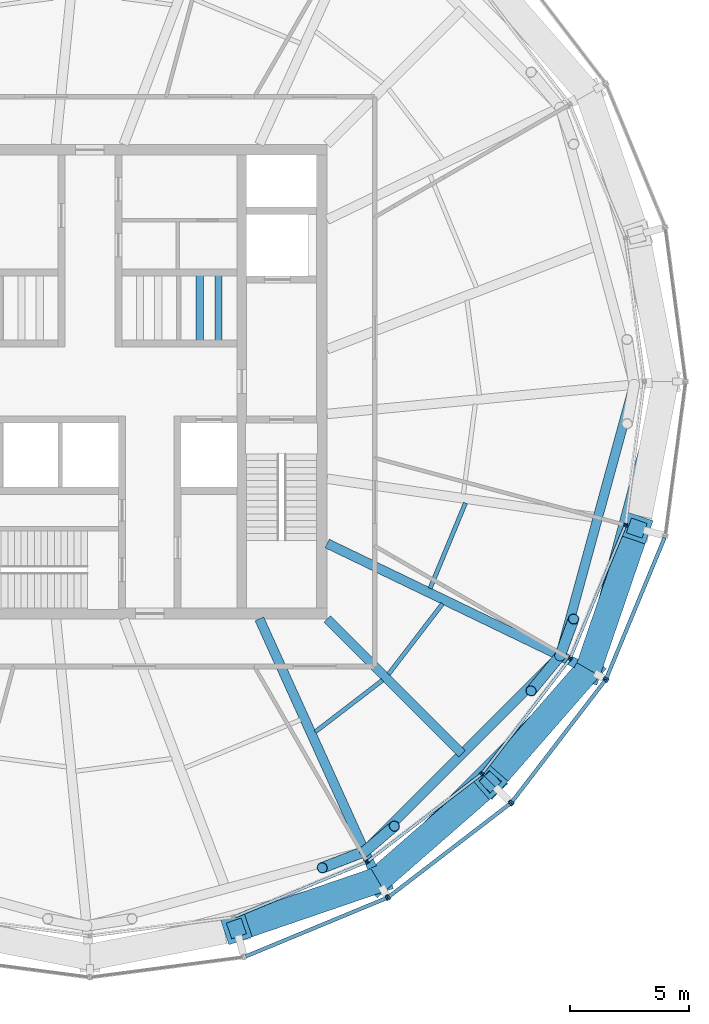
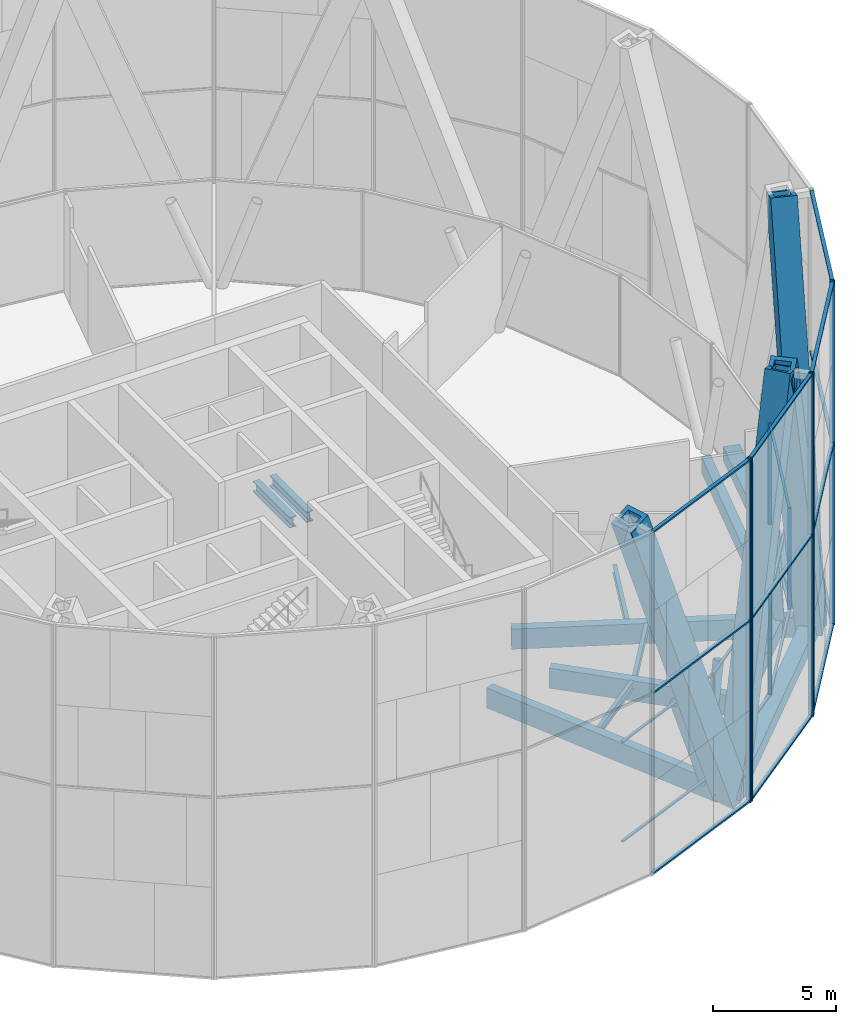
# One storey, part 4 of 15: 42 members, 12 beams, 9 elements without a shape of their own.
"""IFC4 building model written with IfcOpenShell, lengths in metres."""

import ifcopenshell
import ifcopenshell.guid

model = None  # the IFC model being written
_history = None  # IfcOwnerHistory: only IFC2X3 demands one
_inside = {}  # id of a spatial element -> (the spatial element, [elements in it])
_under = {}  # id of a project, library or spatial element -> (it, [spatial elements below it])
_declared = {}  # id of a project -> (the project, [libraries it declares])
_typed = {}  # id of a type object -> (the type object, [elements of that type])
_made_of = {}  # id of a material, layer set ... -> (it, [elements and type objects made of it])


def new_model(schema):
    """Start an empty IFC model of exactly this schema.

    Asked for "IFC4X3", IfcOpenShell would pick the latest addendum, in which some entities
    have other attributes; the version numbers below select the first issue.
    IFC2X3 requires an IfcOwnerHistory on every rooted entity: one is made here for all.
    """
    global model, _history
    if schema == "IFC4X3":
        model = ifcopenshell.file(schema_version=(4, 3, 0, 0))
    else:
        model = ifcopenshell.file(schema=schema)
    _inside.clear()
    _under.clear()
    _declared.clear()
    _typed.clear()
    _made_of.clear()
    _history = None
    if model.schema == "IFC2X3":
        org = make("IfcOrganization", Name="unknown")
        user = make(
            "IfcPersonAndOrganization",
            ThePerson=make("IfcPerson", FamilyName="unknown"),
            TheOrganization=org,
        )
        app = make(
            "IfcApplication",
            ApplicationDeveloper=org,
            Version="unknown",
            ApplicationFullName="unknown",
            ApplicationIdentifier="unknown",
        )
        _history = make(
            "IfcOwnerHistory",
            OwningUser=user,
            OwningApplication=app,
            ChangeAction="ADDED",
            CreationDate=0,
        )
    return model


def make(cls, **values):
    """One entity of the class cls with the attributes given. An attribute that is None is left unset."""
    return model.create_entity(
        cls, **{name: value for name, value in values.items() if value is not None}
    )


def rooted(cls, **values):
    """An entity with a GlobalId (a new one), such as an element, a storey or a relation."""
    return make(cls, GlobalId=ifcopenshell.guid.new(), OwnerHistory=_history, **values)


def si_unit(unit_type, name, prefix=None):
    """IfcSIUnit, for example si_unit("LENGTHUNIT", "METRE", prefix="MILLI")."""
    return make("IfcSIUnit", UnitType=unit_type, Prefix=prefix, Name=name)


def assignment(units):
    """IfcUnitAssignment: the units of a project."""
    return None if units is None else make("IfcUnitAssignment", Units=units)


def point(xyz):
    """IfcCartesianPoint."""
    return None if xyz is None else make("IfcCartesianPoint", Coordinates=xyz)


def direction(xyz):
    """IfcDirection."""
    return None if xyz is None else make("IfcDirection", DirectionRatios=xyz)


def frame(location, z_axis=None, x_axis=None):
    """IfcAxis2Placement3D, a coordinate frame: its origin and axes. An axis left out is left unset."""
    return make(
        "IfcAxis2Placement3D",
        Location=point(location),
        Axis=direction(z_axis),
        RefDirection=direction(x_axis),
    )


def frame_2d(location, x_axis=None):
    """IfcAxis2Placement2D, a coordinate frame in the plane: its origin and x axis."""
    return make(
        "IfcAxis2Placement2D", Location=point(location), RefDirection=direction(x_axis)
    )


def origin():
    """The frame at (0, 0, 0) with its axes left unset."""
    return frame((0.0, 0.0, 0.0))


def origin_2d():
    """The frame at (0, 0) in the plane with its x axis left unset."""
    return frame_2d((0.0, 0.0))


def place(relative_to, where):
    """IfcLocalPlacement: puts the frame where relative to a parent placement (None: the world)."""
    return make(
        "IfcLocalPlacement", PlacementRelTo=relative_to, RelativePlacement=where
    )


def context(
    kind, dimensions, precision=None, world=None, true_north=None, identifier=None
):
    """IfcGeometricRepresentationContext, for example the 3D "Model" context."""
    return make(
        "IfcGeometricRepresentationContext",
        ContextIdentifier=identifier,
        ContextType=kind,
        CoordinateSpaceDimension=dimensions,
        Precision=precision,
        WorldCoordinateSystem=world,
        TrueNorth=true_north,
    )


def subcontext(parent, identifier, kind, view, scale=None):
    """IfcGeometricRepresentationSubContext, for example "Body" below "Model"."""
    return make(
        "IfcGeometricRepresentationSubContext",
        ContextIdentifier=identifier,
        ContextType=kind,
        ParentContext=parent,
        TargetScale=scale,
        TargetView=view,
    )


def project(units=None, contexts=None):
    """IfcProject with its units and contexts."""
    return rooted(
        "IfcProject",
        Name="project",
        RepresentationContexts=contexts,
        UnitsInContext=assignment(units),
    )


def spatial(cls, under=None, at=None, **own):
    """A site, building, storey or space (cls), placed at a placement, below another one or the project."""
    s = rooted(cls, ObjectPlacement=at, **own)
    if under is not None:
        _under.setdefault(under.id(), (under, []))[1].append(s)
    return s


def profile(cls, at=None, kind="AREA", **sizes):
    """A parametric profile (cls). Its sizes go by their IFC names, for example OverallWidth=200.0."""
    return make(cls, ProfileType=kind, Position=at, **sizes)


def rectangle(**sizes):
    """IfcRectangleProfileDef."""
    return profile("IfcRectangleProfileDef", **sizes)


def hollow_rectangle(**sizes):
    """IfcRectangleHollowProfileDef."""
    return profile("IfcRectangleHollowProfileDef", **sizes)


def hollow_circle(**sizes):
    """IfcCircleHollowProfileDef."""
    return profile("IfcCircleHollowProfileDef", **sizes)


def i_section(**sizes):
    """IfcIShapeProfileDef."""
    return profile("IfcIShapeProfileDef", **sizes)


def extrude(swept, where, along, depth):
    """IfcExtrudedAreaSolid: the profile swept, set in the frame where, extruded along a direction by depth."""
    return make(
        "IfcExtrudedAreaSolid",
        SweptArea=swept,
        Position=where,
        ExtrudedDirection=direction(along),
        Depth=depth,
    )


def shape(context_of_items, identifier, shape_type, items):
    """IfcShapeRepresentation: the items that make up one representation, for example the "Body"."""
    return make(
        "IfcShapeRepresentation",
        ContextOfItems=context_of_items,
        RepresentationIdentifier=identifier,
        RepresentationType=shape_type,
        Items=items,
    )


def material(Name=None, Category=None):
    """IfcMaterial."""
    return make("IfcMaterial", Name=Name, Category=Category)


def material_profile(
    of_material, cross_section, Name=None, Category=None, Priority=None
):
    """IfcMaterialProfile: a cross section and its material."""
    return make(
        "IfcMaterialProfile",
        Name=Name,
        Material=of_material,
        Profile=cross_section,
        Priority=Priority,
        Category=Category,
    )


def profile_set(profiles, Name=None, composite=None):
    """IfcMaterialProfileSet."""
    return make(
        "IfcMaterialProfileSet",
        Name=Name,
        MaterialProfiles=profiles,
        CompositeProfile=composite,
    )


def made_of(thing, what):
    """Note that an element or type object is made of a material, layer set ...; save() writes the relation."""
    if what is not None:
        _made_of.setdefault(what.id(), (what, []))[1].append(thing)
    return thing


def type_object(cls, material=None, **own):
    """A type object (cls), such as IfcWallType, which elements share."""
    return made_of(rooted(cls, **own), material)


def element(
    cls,
    number,
    at=None,
    inside=None,
    cuts=None,
    type_object=None,
    material=None,
    context=None,
    identifier="Body",
    shape_type=None,
    held_by="IfcProductDefinitionShape",
    body=None,
    shapes=None,
    **own,
):
    """One element of the class cls, such as IfcWall. Its Tag is "e" and its number.

    at: its placement. inside: the storey or other place that contains it. cuts: it is an
    opening in that element (IfcRelVoidsElement). A single representation is given by context,
    identifier, shape_type and body (its items); several are given by shapes. held_by: the class
    of the entity that holds the representations. save() writes the other relations.
    """
    e = rooted(cls, Tag="e%d" % number, ObjectPlacement=at, **own)
    if body is not None:
        shapes = [shape(context, identifier, shape_type, body)]
    if shapes is not None:
        e.Representation = make(held_by, Representations=shapes)
    if inside is not None:
        _inside.setdefault(inside.id(), (inside, []))[1].append(e)
    if cuts is not None:
        rooted(
            "IfcRelVoidsElement", RelatingBuildingElement=cuts, RelatedOpeningElement=e
        )
    if type_object is not None:
        _typed.setdefault(type_object.id(), (type_object, []))[1].append(e)
    return made_of(e, material)


def aggregate(whole, parts):
    """IfcRelAggregates: a whole, such as a stair, and the parts it consists of."""
    return rooted("IfcRelAggregates", RelatingObject=whole, RelatedObjects=parts)


def save(model, path):
    """Write the relations noted so far, then the file.

    IfcRelAggregates (storeys below a building ...), IfcRelContainedInSpatialStructure (elements
    in a storey), IfcRelDefinesByType, IfcRelAssociatesMaterial and IfcRelDeclares: one each for
    every whole, place, type object, material and project.
    """
    for whole, parts in _under.values():
        aggregate(whole, parts)
    for where, things in _inside.values():
        rooted(
            "IfcRelContainedInSpatialStructure",
            RelatedElements=things,
            RelatingStructure=where,
        )
    for kind, things in _typed.values():
        rooted("IfcRelDefinesByType", RelatedObjects=things, RelatingType=kind)
    for what, things in _made_of.values():
        rooted("IfcRelAssociatesMaterial", RelatedObjects=things, RelatingMaterial=what)
    for by, libraries in _declared.values():
        rooted("IfcRelDeclares", RelatingContext=by, RelatedDefinitions=libraries)
    model.write(path)


model = new_model("IFC4")

# Units and contexts
model_context = context("Model", 3, precision=1e-05, world=origin(), true_north=direction((0.0, 1.0)))
body_context = subcontext(model_context, "Body", "Model", "MODEL_VIEW")
ifc_project = project(units=[si_unit("LENGTHUNIT", "METRE"), si_unit("AREAUNIT", "SQUARE_METRE"), si_unit("VOLUMEUNIT", "CUBIC_METRE"), si_unit("PLANEANGLEUNIT", "RADIAN"), si_unit("MASSUNIT", "GRAM", prefix="KILO")], contexts=[model_context])

# Site, building, storey
site_placement = place(None, origin())
site = spatial("IfcSite", under=ifc_project, at=site_placement, CompositionType="ELEMENT")
building_placement = place(site_placement, origin())
building = spatial("IfcBuilding", under=site, at=building_placement, Name="Golbaran Civic Tower", CompositionType="ELEMENT")
storey_placement = place(building_placement, frame((0.0, 0.0, 215.0)))
storey = spatial("IfcBuildingStorey", under=building, at=storey_placement, Name="L52", CompositionType="ELEMENT", Elevation=215.0)

# Members
ifc_material_1 = material(Name="Steel S355", Category="steel")
ifc_material_profile_1 = material_profile(ifc_material_1, hollow_circle(Radius=0.228515625, WallThickness=0.02001953125, at=origin_2d()), Name="CHS 457.0x20")
ifc_profile_set_1 = profile_set([ifc_material_profile_1], Name="Steel S355")
member_type_1 = type_object("IfcMemberType", Name="BELT TRUSS DIAGONAL CHS 457.0x20", PredefinedType="BRACE", material=ifc_profile_set_1)
member_1_placement = place(storey_placement, frame((11.580322265625, -19.796875, -0.60009765625), z_axis=(0.237997322439, 0.202374258001, 0.949948385024), x_axis=(-0.647790633231, 0.76181841373, 0.0)))
element("IfcMember", 1, at=member_1_placement, inside=storey, type_object=member_type_1, Name="Belt truss diagonal 300.00R L52", PredefinedType="BRACE", context=body_context, shape_type="SweptSolid", body=[
    extrude(hollow_circle(Radius=0.228515625, WallThickness=0.02001953125, at=origin_2d()), origin(), (0.0, 0.0, 1.0), 5.263427734375),
])
member_2_placement = place(storey_placement, frame((11.580322265625, -19.796875, -0.60009765625), z_axis=(-0.334288189881, -0.128873955106, 0.933618182022), x_axis=(0.359712247931, -0.933063287612, 0.0)))
element("IfcMember", 2, at=member_2_placement, inside=storey, type_object=member_type_1, Name="Belt truss diagonal 300.00L L52", PredefinedType="BRACE", context=body_context, shape_type="SweptSolid", body=[
    extrude(hollow_circle(Radius=0.228515625, WallThickness=0.02001953125, at=origin_2d()), origin(), (0.0, 0.0, 1.0), 5.35546875),
])
member_3_placement = place(storey_placement, frame((19.81298828125, -11.552734375, -0.60009765625), z_axis=(0.108443912345, 0.294361008754, 0.949521729294), x_axis=(-0.938348163363, 0.345691660751, 0.0)))
element("IfcMember", 3, at=member_3_placement, inside=storey, type_object=member_type_1, Name="Belt truss diagonal 330.00R L52", PredefinedType="BRACE", context=body_context, shape_type="SweptSolid", body=[
    extrude(hollow_circle(Radius=0.228515625, WallThickness=0.02001953125, at=origin_2d()), origin(), (0.0, 0.0, 1.0), 5.265869140625),
])
member_4_placement = place(storey_placement, frame((19.81298828125, -11.552734375, -0.60009765625), z_axis=(-0.228116831888, -0.276885065679, 0.933433110305), x_axis=(0.77180186456, -0.635863099938, 0.0)))
element("IfcMember", 4, at=member_4_placement, inside=storey, type_object=member_type_1, Name="Belt truss diagonal 330.00L L52", PredefinedType="BRACE", context=body_context, shape_type="SweptSolid", body=[
    extrude(hollow_circle(Radius=0.228515625, WallThickness=0.02001953125, at=origin_2d()), origin(), (0.0, 0.0, 1.0), 5.356689453125),
])
ifc_material_profile_2 = material_profile(ifc_material_1, hollow_rectangle(XDim=1.10009765625, YDim=1.10009765625, WallThickness=0.199951171875, at=origin_2d()), Name="BOX 1100x1100x200")
ifc_profile_set_2 = profile_set([ifc_material_profile_2], Name="Steel S355")
member_type_2 = type_object("IfcMemberType", Name="DIAGRID DIAGONAL BOX 1100x1100x200", PredefinedType="BRACE", material=ifc_profile_set_2)
for number, where, z_axis, x_axis, name in (
    (5, (12.1279296875, -21.00634765625, -0.7099609375), (0.261485476318, 0.228299784139, 0.937819041306), (-0.657688403763, 0.753290092564, 0.0), "Diagonal D12-10R L52-L56"),
    (6, (12.1279296875, -21.00634765625, -0.7099609375), (-0.328449877464, -0.112311622101, 0.937820226661), (0.323551479534, -0.94621056858, 0.0), "Diagonal D12-10L L52-L56"),
    (7, (21.00634765625, -12.1279296875, -0.7099609375), (0.112311622101, 0.328449877464, 0.937820226661), (-0.94621056858, 0.323551479534, 0.0), "Diagonal D12-11R L52-L56"),
    (8, (21.00634765625, -12.1279296875, -0.7099609375), (-0.228299784139, -0.261485476318, 0.937819041306), (0.753290092564, -0.657688403763, 0.0), "Diagonal D12-11L L52-L56"),
):
    element("IfcMember", number, at=place(storey_placement, frame(where, z_axis=z_axis, x_axis=x_axis)), inside=storey, type_object=member_type_2, Name=name, PredefinedType="BRACE", context=body_context, shape_type="SweptSolid", body=[
        extrude(hollow_rectangle(XDim=1.10009765625, YDim=1.10009765625, WallThickness=0.199951171875, at=origin_2d()), origin(), (0.0, 0.0, 1.0), 18.127197265625),
    ])

# Beams
ifc_material_profile_3 = material_profile(ifc_material_1, hollow_rectangle(XDim=0.699951171875, YDim=0.699951171875, WallThickness=0.080078125, at=origin_2d()), Name="BOX 700x700x80")
ifc_profile_set_3 = profile_set([ifc_material_profile_3], Name="Steel S355")
beam_type_1 = type_object("IfcBeamType", Name="DIAGRID RING TIE BOX 700x700x80", PredefinedType="BEAM", material=ifc_profile_set_3)
beam_1_placement = place(storey_placement, frame((12.1279296875, -21.00634765625, -0.7099609375), z_axis=(0.707106781187, 0.707106781187, 0.0), x_axis=(-0.707106781187, 0.707106781187, 0.0)))
element("IfcBeam", 9, at=beam_1_placement, inside=storey, type_object=beam_type_1, Name="Ring tie 300.00 L52", PredefinedType="BEAM", context=body_context, shape_type="SweptSolid", body=[
    extrude(hollow_rectangle(XDim=0.699951171875, YDim=0.699951171875, WallThickness=0.080078125, at=origin_2d()), origin(), (0.0, 0.0, 1.0), 12.555908203125),
])
beam_2_placement = place(storey_placement, frame((21.00634765625, -12.1279296875, -0.7099609375), z_axis=(0.258825502121, 0.965924096113, 0.0), x_axis=(-0.965924096113, 0.258825502121, 0.0)))
element("IfcBeam", 10, at=beam_2_placement, inside=storey, type_object=beam_type_1, Name="Ring tie 330.00 L52", PredefinedType="BEAM", context=body_context, shape_type="SweptSolid", body=[
    extrude(hollow_rectangle(XDim=0.699951171875, YDim=0.699951171875, WallThickness=0.080078125, at=origin_2d()), origin(), (0.0, 0.0, 1.0), 12.5556640625),
])
ifc_material_profile_4 = material_profile(ifc_material_1, hollow_rectangle(XDim=0.39990234375, YDim=0.800048828125, WallThickness=0.0400390625, at=origin_2d()), Name="BOX 800x400x40")
ifc_profile_set_4 = profile_set([ifc_material_profile_4], Name="Steel S355")
beam_type_2 = type_object("IfcBeamType", Name="EDGE BEAM BOX 800x400x40", PredefinedType="BEAM", material=ifc_profile_set_4)
beam_3_placement = place(storey_placement, frame((11.716064453125, -19.660888671875, -0.60009765625), z_axis=(0.706608276998, 0.707604934182, 0.0), x_axis=(-0.707604934182, 0.706608276998, 0.0)))
element("IfcBeam", 11, at=beam_3_placement, inside=storey, type_object=beam_type_2, Name="Edge beam 300.00 L52", PredefinedType="BEAM", context=body_context, shape_type="SweptSolid", body=[
    extrude(hollow_rectangle(XDim=0.39990234375, YDim=0.800048828125, WallThickness=0.0400390625, at=origin_2d()), origin(), (0.0, 0.0, 1.0), 11.26806640625),
])
beam_4_placement = place(storey_placement, frame((19.861328125, -11.3759765625, -0.60009765625), z_axis=(0.263544249905, 0.964647307746, 0.0), x_axis=(-0.964647307746, 0.263544249905, 0.0)))
element("IfcBeam", 12, at=beam_4_placement, inside=storey, type_object=beam_type_2, Name="Edge beam 330.00 L52", PredefinedType="BEAM", context=body_context, shape_type="SweptSolid", body=[
    extrude(hollow_rectangle(XDim=0.39990234375, YDim=0.800048828125, WallThickness=0.0400390625, at=origin_2d()), origin(), (0.0, 0.0, 1.0), 11.469482421875),
])
ifc_material_profile_5 = material_profile(ifc_material_1, i_section(OverallWidth=0.179931640625, OverallDepth=0.39990234375, WebThickness=0.008544921875, FlangeThickness=0.013427734375, FilletRadius=0.02099609375, at=origin_2d()), Name="IPE 400")
ifc_profile_set_5 = profile_set([ifc_material_profile_5], Name="Steel S355")
beam_type_3 = type_object("IfcBeamType", Name="FLOOR INFILL BEAM IPE 400", PredefinedType="BEAM", material=ifc_profile_set_5)
beam_5_placement = place(storey_placement, frame((9.496337890625, -14.759521484375, -0.39990234375), z_axis=(0.79335768671, 0.608755764604, 0.0), x_axis=(-0.608755764604, 0.79335768671, 0.0)))
element("IfcBeam", 13, at=beam_5_placement, inside=storey, type_object=beam_type_3, Name="Infill beam 307.50 L52", PredefinedType="BEAM", context=body_context, shape_type="SweptSolid", body=[
    extrude(i_section(OverallWidth=0.179931640625, OverallDepth=0.39990234375, WebThickness=0.008544921875, FlangeThickness=0.013427734375, FilletRadius=0.02099609375, at=origin_2d()), origin(), (0.0, 0.0, 1.0), 3.572021484375),
])
beam_6_placement = place(storey_placement, frame((12.58349609375, -12.328857421875, -0.39990234375), z_axis=(0.608753770436, 0.793359216862, 0.0), x_axis=(-0.793359216862, 0.608753770436, 0.0)))
element("IfcBeam", 14, at=beam_6_placement, inside=storey, type_object=beam_type_3, Name="Infill beam 322.50 L52", PredefinedType="BEAM", context=body_context, shape_type="SweptSolid", body=[
    extrude(i_section(OverallWidth=0.179931640625, OverallDepth=0.39990234375, WebThickness=0.008544921875, FlangeThickness=0.013427734375, FilletRadius=0.02099609375, at=origin_2d()), origin(), (0.0, 0.0, 1.0), 3.7373046875),
])
beam_7_placement = place(storey_placement, frame((14.33642578125, -8.71240234375, -0.39990234375), z_axis=(0.382656259044, 0.923890787601, 0.0), x_axis=(-0.923890787601, 0.382656259044, 0.0)))
element("IfcBeam", 15, at=beam_7_placement, inside=storey, type_object=beam_type_3, Name="Infill beam 337.50 L52", PredefinedType="BEAM", context=body_context, shape_type="SweptSolid", body=[
    extrude(i_section(OverallWidth=0.179931640625, OverallDepth=0.39990234375, WebThickness=0.008544921875, FlangeThickness=0.013427734375, FilletRadius=0.02099609375, at=origin_2d()), origin(), (0.0, 0.0, 1.0), 3.89501953125),
])
ifc_material_profile_6 = material_profile(ifc_material_1, i_section(OverallWidth=0.305908203125, OverallDepth=0.52392578125, WebThickness=0.02099609375, FlangeThickness=0.0400390625, FilletRadius=0.027099609375, at=origin_2d()), Name="HEM 500")
ifc_profile_set_6 = profile_set([ifc_material_profile_6], Name="Steel S355")
beam_type_4 = type_object("IfcBeamType", Name="LIFT PIT BEAM HEM 500", PredefinedType="BEAM", material=ifc_profile_set_6)
for number, where, z_axis, x_axis, name in (
    (16, (4.63330078125, 1.60009765625, 1.738037109375), (0.0, 1.0, 0.0), (-1.0, 0.0, 0.0), "Lift pit beam Z4T 1"),
    (17, (5.416748046875, 1.60009765625, 1.738037109375), (0.0, 1.0, 0.0), (-1.0, 0.0, 0.0), "Lift pit beam Z4T 2"),
):
    element("IfcBeam", number, at=place(storey_placement, frame(where, z_axis=z_axis, x_axis=x_axis)), inside=storey, type_object=beam_type_4, Name=name, PredefinedType="BEAM", context=body_context, shape_type="SweptSolid", body=[
        extrude(i_section(OverallWidth=0.305908203125, OverallDepth=0.52392578125, WebThickness=0.02099609375, FlangeThickness=0.0400390625, FilletRadius=0.027099609375, at=origin_2d()), origin(), (0.0, 0.0, 1.0), 3.0),
    ])

# Curtain wall, member
ifc_material_2 = material(Name="Aluminium and glass", Category="aluminium")
curtain_wall_type_1 = type_object("IfcCurtainWallType", Name="OUTER SKIN TERRACOTTA SCREEN", PredefinedType="NOTDEFINED", material=ifc_material_2)
curtain_wall_1_placement = place(storey_placement, origin())
curtain_wall_1 = element("IfcCurtainWall", 18, at=curtain_wall_1_placement, inside=storey, type_object=curtain_wall_type_1, Name="Outer skin L52 facet 20 CW3", ObjectType="OUTER SKIN", PredefinedType="USERDEFINED")
ifc_material_3 = material(Name="Aluminium", Category="aluminium")
ifc_material_profile_7 = material_profile(ifc_material_3, rectangle(XDim=0.219970703125, YDim=0.080078125, at=origin_2d()), Name="OUTER SKIN TERRACOTTA SCREEN MULLION")
ifc_profile_set_7 = profile_set([ifc_material_profile_7], Name="Aluminium")
member_type_3 = type_object("IfcMemberType", Name="OUTER SKIN TERRACOTTA SCREEN MULLION", PredefinedType="MULLION", material=ifc_profile_set_7)
member_5_placement = place(storey_placement, frame((12.51611328125, -21.7578125, -0.7099609375), z_axis=(0.0, 0.0, 1.0), x_axis=(-0.38268343243, 0.923879532485, 0.0)))
member_5 = element("IfcMember", 19, at=member_5_placement, type_object=member_type_3, Name="CW3 mullion 2", PredefinedType="MULLION", context=body_context, shape_type="SweptSolid", body=[
    extrude(rectangle(XDim=0.219970703125, YDim=0.080078125, at=origin_2d()), origin(), (0.0, 0.0, 1.0), 17.0),
])

# Curtain wall, members
curtain_wall_2_placement = place(storey_placement, origin())
curtain_wall_2 = element("IfcCurtainWall", 20, at=curtain_wall_2_placement, inside=storey, type_object=curtain_wall_type_1, Name="Outer skin L52 facet 21 CW3", ObjectType="OUTER SKIN", PredefinedType="USERDEFINED")
member_6_placement = place(storey_placement, frame((12.584716796875, -21.718017578125, -0.7099609375), z_axis=(0.0, 0.0, 1.0), x_axis=(-0.60876142905, 0.793353340259, 0.0)))
member_6 = element("IfcMember", 21, at=member_6_placement, type_object=member_type_3, Name="CW3 mullion 1", PredefinedType="MULLION", context=body_context, shape_type="SweptSolid", body=[
    extrude(rectangle(XDim=0.219970703125, YDim=0.080078125, at=origin_2d()), origin(), (0.0, 0.0, 1.0), 17.0),
])
member_7_placement = place(storey_placement, frame((17.720947265625, -17.77685546875, -0.7099609375), z_axis=(0.0, 0.0, 1.0), x_axis=(-0.60876142905, 0.793353340259, 0.0)))
member_7 = element("IfcMember", 22, at=member_7_placement, type_object=member_type_3, Name="CW3 mullion 2", PredefinedType="MULLION", context=body_context, shape_type="SweptSolid", body=[
    extrude(rectangle(XDim=0.219970703125, YDim=0.080078125, at=origin_2d()), origin(), (0.0, 0.0, 1.0), 17.0),
])

curtain_wall_3_placement = place(storey_placement, origin())
curtain_wall_3 = element("IfcCurtainWall", 23, at=curtain_wall_3_placement, inside=storey, type_object=curtain_wall_type_1, Name="Outer skin L52 facet 22 CW3", ObjectType="OUTER SKIN", PredefinedType="USERDEFINED")
member_8_placement = place(storey_placement, frame((17.77685546875, -17.720947265625, -0.7099609375), z_axis=(0.0, 0.0, 1.0), x_axis=(-0.793353340259, 0.60876142905, 0.0)))
member_8 = element("IfcMember", 24, at=member_8_placement, type_object=member_type_3, Name="CW3 mullion 1", PredefinedType="MULLION", context=body_context, shape_type="SweptSolid", body=[
    extrude(rectangle(XDim=0.219970703125, YDim=0.080078125, at=origin_2d()), origin(), (0.0, 0.0, 1.0), 17.0),
])
member_9_placement = place(storey_placement, frame((21.718017578125, -12.584716796875, -0.7099609375), z_axis=(0.0, 0.0, 1.0), x_axis=(-0.793353340259, 0.60876142905, 0.0)))
member_9 = element("IfcMember", 25, at=member_9_placement, type_object=member_type_3, Name="CW3 mullion 2", PredefinedType="MULLION", context=body_context, shape_type="SweptSolid", body=[
    extrude(rectangle(XDim=0.219970703125, YDim=0.080078125, at=origin_2d()), origin(), (0.0, 0.0, 1.0), 17.0),
])

# Curtain wall, member
curtain_wall_4_placement = place(storey_placement, origin())
curtain_wall_4 = element("IfcCurtainWall", 26, at=curtain_wall_4_placement, inside=storey, type_object=curtain_wall_type_1, Name="Outer skin L52 facet 23 CW3", ObjectType="OUTER SKIN", PredefinedType="USERDEFINED")
member_10_placement = place(storey_placement, frame((21.7578125, -12.51611328125, -0.7099609375), z_axis=(0.0, 0.0, 1.0), x_axis=(-0.923879532485, 0.38268343243, 0.0)))
member_10 = element("IfcMember", 27, at=member_10_placement, type_object=member_type_3, Name="CW3 mullion 1", PredefinedType="MULLION", context=body_context, shape_type="SweptSolid", body=[
    extrude(rectangle(XDim=0.219970703125, YDim=0.080078125, at=origin_2d()), origin(), (0.0, 0.0, 1.0), 17.0),
])

# Member
ifc_material_profile_8 = material_profile(ifc_material_3, rectangle(XDim=0.159912109375, YDim=0.080078125, at=origin_2d()), Name="OUTER SKIN TERRACOTTA SCREEN TRANSOM")
ifc_profile_set_8 = profile_set([ifc_material_profile_8], Name="Aluminium")
member_type_4 = type_object("IfcMemberType", Name="OUTER SKIN TERRACOTTA SCREEN TRANSOM", PredefinedType="USERDEFINED", material=ifc_profile_set_8)
member_11_placement = place(storey_placement, frame((6.57177734375, -24.219970703125, -0.669921875), z_axis=(0.923870235777, 0.382705875896, 0.0), x_axis=(-0.382705875896, 0.923870235777, 0.0)))
member_11 = element("IfcMember", 28, at=member_11_placement, type_object=member_type_4, Name="CW3 transom 1.1", ObjectType="TRANSOM", PredefinedType="USERDEFINED", context=body_context, shape_type="SweptSolid", body=[
    extrude(rectangle(XDim=0.159912109375, YDim=0.080078125, at=origin_2d()), origin(), (0.0, 0.0, 1.0), 6.39404296875),
])

member_12_placement = place(storey_placement, frame((6.57177734375, -24.219970703125, 8.2900390625), z_axis=(0.923870235777, 0.382705875896, 0.0), x_axis=(-0.382705875896, 0.923870235777, 0.0)))
member_12 = element("IfcMember", 29, at=member_12_placement, type_object=member_type_4, Name="CW3 transom 1.2", ObjectType="TRANSOM", PredefinedType="USERDEFINED", context=body_context, shape_type="SweptSolid", body=[
    extrude(rectangle(XDim=0.159912109375, YDim=0.080078125, at=origin_2d()), origin(), (0.0, 0.0, 1.0), 6.39404296875),
])

member_13_placement = place(storey_placement, frame((6.57177734375, -24.219970703125, 16.25), z_axis=(0.923870235777, 0.382705875896, 0.0), x_axis=(-0.382705875896, 0.923870235777, 0.0)))
member_13 = element("IfcMember", 30, at=member_13_placement, type_object=member_type_4, Name="CW3 transom 1.3", ObjectType="TRANSOM", PredefinedType="USERDEFINED", context=body_context, shape_type="SweptSolid", body=[
    extrude(rectangle(XDim=0.159912109375, YDim=0.080078125, at=origin_2d()), origin(), (0.0, 0.0, 1.0), 6.39404296875),
])

aggregate(curtain_wall_1, [member_5, member_11, member_12, member_13])

member_14_placement = place(storey_placement, frame((12.616455078125, -21.69384765625, -0.669921875), z_axis=(0.793344491665, 0.608772960589, 0.0), x_axis=(-0.608772960589, 0.793344491665, 0.0)))
member_14 = element("IfcMember", 31, at=member_14_placement, type_object=member_type_4, Name="CW3 transom 1.1", ObjectType="TRANSOM", PredefinedType="USERDEFINED", context=body_context, shape_type="SweptSolid", body=[
    extrude(rectangle(XDim=0.159912109375, YDim=0.080078125, at=origin_2d()), origin(), (0.0, 0.0, 1.0), 6.39404296875),
])

member_15_placement = place(storey_placement, frame((12.616455078125, -21.69384765625, 8.2900390625), z_axis=(0.793344491665, 0.608772960589, 0.0), x_axis=(-0.608772960589, 0.793344491665, 0.0)))
member_15 = element("IfcMember", 32, at=member_15_placement, type_object=member_type_4, Name="CW3 transom 1.2", ObjectType="TRANSOM", PredefinedType="USERDEFINED", context=body_context, shape_type="SweptSolid", body=[
    extrude(rectangle(XDim=0.159912109375, YDim=0.080078125, at=origin_2d()), origin(), (0.0, 0.0, 1.0), 6.39404296875),
])

member_16_placement = place(storey_placement, frame((12.616455078125, -21.69384765625, 16.25), z_axis=(0.793344491665, 0.608772960589, 0.0), x_axis=(-0.608772960589, 0.793344491665, 0.0)))
member_16 = element("IfcMember", 33, at=member_16_placement, type_object=member_type_4, Name="CW3 transom 1.3", ObjectType="TRANSOM", PredefinedType="USERDEFINED", context=body_context, shape_type="SweptSolid", body=[
    extrude(rectangle(XDim=0.159912109375, YDim=0.080078125, at=origin_2d()), origin(), (0.0, 0.0, 1.0), 6.39404296875),
])

aggregate(curtain_wall_2, [member_6, member_7, member_14, member_15, member_16])

member_17_placement = place(storey_placement, frame((17.80126953125, -17.689208984375, -0.669921875), z_axis=(0.608772960589, 0.793344491665, 0.0), x_axis=(-0.793344491665, 0.608772960589, 0.0)))
member_17 = element("IfcMember", 34, at=member_17_placement, type_object=member_type_4, Name="CW3 transom 1.1", ObjectType="TRANSOM", PredefinedType="USERDEFINED", context=body_context, shape_type="SweptSolid", body=[
    extrude(rectangle(XDim=0.159912109375, YDim=0.080078125, at=origin_2d()), origin(), (0.0, 0.0, 1.0), 6.39404296875),
])

member_18_placement = place(storey_placement, frame((17.80126953125, -17.689208984375, 8.2900390625), z_axis=(0.608772960589, 0.793344491665, 0.0), x_axis=(-0.793344491665, 0.608772960589, 0.0)))
member_18 = element("IfcMember", 35, at=member_18_placement, type_object=member_type_4, Name="CW3 transom 1.2", ObjectType="TRANSOM", PredefinedType="USERDEFINED", context=body_context, shape_type="SweptSolid", body=[
    extrude(rectangle(XDim=0.159912109375, YDim=0.080078125, at=origin_2d()), origin(), (0.0, 0.0, 1.0), 6.39404296875),
])

member_19_placement = place(storey_placement, frame((17.80126953125, -17.689208984375, 16.25), z_axis=(0.608772960589, 0.793344491665, 0.0), x_axis=(-0.793344491665, 0.608772960589, 0.0)))
member_19 = element("IfcMember", 36, at=member_19_placement, type_object=member_type_4, Name="CW3 transom 1.3", ObjectType="TRANSOM", PredefinedType="USERDEFINED", context=body_context, shape_type="SweptSolid", body=[
    extrude(rectangle(XDim=0.159912109375, YDim=0.080078125, at=origin_2d()), origin(), (0.0, 0.0, 1.0), 6.39404296875),
])

aggregate(curtain_wall_3, [member_8, member_9, member_17, member_18, member_19])

member_20_placement = place(storey_placement, frame((21.77294921875, -12.47900390625, -0.669921875), z_axis=(0.382705875896, 0.923870235777, 0.0), x_axis=(-0.923870235777, 0.382705875896, 0.0)))
member_20 = element("IfcMember", 37, at=member_20_placement, type_object=member_type_4, Name="CW3 transom 1.1", ObjectType="TRANSOM", PredefinedType="USERDEFINED", context=body_context, shape_type="SweptSolid", body=[
    extrude(rectangle(XDim=0.159912109375, YDim=0.080078125, at=origin_2d()), origin(), (0.0, 0.0, 1.0), 6.39404296875),
])

member_21_placement = place(storey_placement, frame((21.77294921875, -12.47900390625, 8.2900390625), z_axis=(0.382705875896, 0.923870235777, 0.0), x_axis=(-0.923870235777, 0.382705875896, 0.0)))
member_21 = element("IfcMember", 38, at=member_21_placement, type_object=member_type_4, Name="CW3 transom 1.2", ObjectType="TRANSOM", PredefinedType="USERDEFINED", context=body_context, shape_type="SweptSolid", body=[
    extrude(rectangle(XDim=0.159912109375, YDim=0.080078125, at=origin_2d()), origin(), (0.0, 0.0, 1.0), 6.39404296875),
])

member_22_placement = place(storey_placement, frame((21.77294921875, -12.47900390625, 16.25), z_axis=(0.382705875896, 0.923870235777, 0.0), x_axis=(-0.923870235777, 0.382705875896, 0.0)))
member_22 = element("IfcMember", 39, at=member_22_placement, type_object=member_type_4, Name="CW3 transom 1.3", ObjectType="TRANSOM", PredefinedType="USERDEFINED", context=body_context, shape_type="SweptSolid", body=[
    extrude(rectangle(XDim=0.159912109375, YDim=0.080078125, at=origin_2d()), origin(), (0.0, 0.0, 1.0), 6.39404296875),
])

aggregate(curtain_wall_4, [member_10, member_20, member_21, member_22])

# Curtain wall, member
curtain_wall_type_2 = type_object("IfcCurtainWallType", Name="PLANT FLOOR LOUVRE WALL", PredefinedType="NOTDEFINED", material=ifc_material_2)
curtain_wall_5_placement = place(storey_placement, origin())
curtain_wall_5 = element("IfcCurtainWall", 40, at=curtain_wall_5_placement, inside=storey, type_object=curtain_wall_type_2, Name="Inner skin L52 facet 20 CW6", ObjectType="PLANT LOUVRE WALL", PredefinedType="USERDEFINED")
ifc_material_profile_9 = material_profile(ifc_material_3, rectangle(XDim=0.159912109375, YDim=0.070068359375, at=origin_2d()), Name="PLANT FLOOR LOUVRE WALL MULLION")
ifc_profile_set_9 = profile_set([ifc_material_profile_9], Name="Aluminium")
member_type_5 = type_object("IfcMemberType", Name="PLANT FLOOR LOUVRE WALL MULLION", PredefinedType="MULLION", material=ifc_profile_set_9)
member_23_placement = place(storey_placement, frame((11.650146484375, -20.248046875, 0.0), z_axis=(0.0, 0.0, 1.0), x_axis=(-0.382683432397, 0.923879532498, 0.0)))
member_23 = element("IfcMember", 41, at=member_23_placement, type_object=member_type_5, Name="CW6 mullion 2", PredefinedType="MULLION", context=body_context, shape_type="SweptSolid", body=[
    extrude(rectangle(XDim=0.159912109375, YDim=0.070068359375, at=origin_2d()), origin(), (0.0, 0.0, 1.0), 5.0),
])

# Curtain wall, members
curtain_wall_6_placement = place(storey_placement, origin())
curtain_wall_6 = element("IfcCurtainWall", 42, at=curtain_wall_6_placement, inside=storey, type_object=curtain_wall_type_2, Name="Inner skin L52 facet 21 CW6", ObjectType="PLANT LOUVRE WALL", PredefinedType="USERDEFINED")
member_24_placement = place(storey_placement, frame((11.710205078125, -20.21337890625, 0.0), z_axis=(0.0, 0.0, 1.0), x_axis=(-0.608761429036, 0.79335334027, 0.0)))
member_24 = element("IfcMember", 43, at=member_24_placement, type_object=member_type_5, Name="CW6 mullion 1", PredefinedType="MULLION", context=body_context, shape_type="SweptSolid", body=[
    extrude(rectangle(XDim=0.159912109375, YDim=0.070068359375, at=origin_2d()), origin(), (0.0, 0.0, 1.0), 5.0),
])
member_25_placement = place(storey_placement, frame((16.493896484375, -16.54296875, 0.0), z_axis=(0.0, 0.0, 1.0), x_axis=(-0.608761429036, 0.79335334027, 0.0)))
member_25 = element("IfcMember", 44, at=member_25_placement, type_object=member_type_5, Name="CW6 mullion 2", PredefinedType="MULLION", context=body_context, shape_type="SweptSolid", body=[
    extrude(rectangle(XDim=0.159912109375, YDim=0.070068359375, at=origin_2d()), origin(), (0.0, 0.0, 1.0), 5.0),
])

curtain_wall_7_placement = place(storey_placement, origin())
curtain_wall_7 = element("IfcCurtainWall", 45, at=curtain_wall_7_placement, inside=storey, type_object=curtain_wall_type_2, Name="Inner skin L52 facet 22 CW6", ObjectType="PLANT LOUVRE WALL", PredefinedType="USERDEFINED")
member_26_placement = place(storey_placement, frame((16.54296875, -16.493896484375, 0.0), z_axis=(0.0, 0.0, 1.0), x_axis=(-0.79335334027, 0.608761429036, 0.0)))
member_26 = element("IfcMember", 46, at=member_26_placement, type_object=member_type_5, Name="CW6 mullion 1", PredefinedType="MULLION", context=body_context, shape_type="SweptSolid", body=[
    extrude(rectangle(XDim=0.159912109375, YDim=0.070068359375, at=origin_2d()), origin(), (0.0, 0.0, 1.0), 5.0),
])
member_27_placement = place(storey_placement, frame((20.21337890625, -11.710205078125, 0.0), z_axis=(0.0, 0.0, 1.0), x_axis=(-0.79335334027, 0.608761429036, 0.0)))
member_27 = element("IfcMember", 47, at=member_27_placement, type_object=member_type_5, Name="CW6 mullion 2", PredefinedType="MULLION", context=body_context, shape_type="SweptSolid", body=[
    extrude(rectangle(XDim=0.159912109375, YDim=0.070068359375, at=origin_2d()), origin(), (0.0, 0.0, 1.0), 5.0),
])

curtain_wall_8_placement = place(storey_placement, origin())
curtain_wall_8 = element("IfcCurtainWall", 48, at=curtain_wall_8_placement, inside=storey, type_object=curtain_wall_type_2, Name="Inner skin L52 facet 23 CW6", ObjectType="PLANT LOUVRE WALL", PredefinedType="USERDEFINED")
member_28_placement = place(storey_placement, frame((20.248046875, -11.650146484375, 0.0), z_axis=(0.0, 0.0, 1.0), x_axis=(-0.923879532498, 0.382683432397, 0.0)))
member_28 = element("IfcMember", 49, at=member_28_placement, type_object=member_type_5, Name="CW6 mullion 1", PredefinedType="MULLION", context=body_context, shape_type="SweptSolid", body=[
    extrude(rectangle(XDim=0.159912109375, YDim=0.070068359375, at=origin_2d()), origin(), (0.0, 0.0, 1.0), 5.0),
])
member_29_placement = place(storey_placement, frame((22.555419921875, -6.07958984375, 0.0), z_axis=(0.0, 0.0, 1.0), x_axis=(-0.923879532498, 0.382683432397, 0.0)))
member_29 = element("IfcMember", 50, at=member_29_placement, type_object=member_type_5, Name="CW6 mullion 2", PredefinedType="MULLION", context=body_context, shape_type="SweptSolid", body=[
    extrude(rectangle(XDim=0.159912109375, YDim=0.070068359375, at=origin_2d()), origin(), (0.0, 0.0, 1.0), 5.0),
])

# Curtain wall, member
curtain_wall_9_placement = place(storey_placement, origin())
curtain_wall_9 = element("IfcCurtainWall", 51, at=curtain_wall_9_placement, inside=storey, type_object=curtain_wall_type_2, Name="Inner skin L52 facet 24 CW6", ObjectType="PLANT LOUVRE WALL", PredefinedType="USERDEFINED")
member_30_placement = place(storey_placement, frame((22.573486328125, -6.0126953125, 0.0), z_axis=(0.0, 0.0, 1.0), x_axis=(-0.991444861369, 0.130526192255, 0.0)))
member_30 = element("IfcMember", 52, at=member_30_placement, type_object=member_type_5, Name="CW6 mullion 1", PredefinedType="MULLION", context=body_context, shape_type="SweptSolid", body=[
    extrude(rectangle(XDim=0.159912109375, YDim=0.070068359375, at=origin_2d()), origin(), (0.0, 0.0, 1.0), 5.0),
])
aggregate(curtain_wall_9, [member_30])

# Member
ifc_material_profile_10 = material_profile(ifc_material_3, rectangle(XDim=0.1201171875, YDim=0.070068359375, at=origin_2d()), Name="PLANT FLOOR LOUVRE WALL TRANSOM")
ifc_profile_set_10 = profile_set([ifc_material_profile_10], Name="Aluminium")
member_type_6 = type_object("IfcMemberType", Name="PLANT FLOOR LOUVRE WALL TRANSOM", PredefinedType="USERDEFINED", material=ifc_profile_set_10)
member_31_placement = place(storey_placement, frame((6.112060546875, -22.5419921875, 0.034912109375), z_axis=(0.923884518665, 0.382671394504, 0.0), x_axis=(-0.382671394504, 0.923884518665, 0.0)))
member_31 = element("IfcMember", 53, at=member_31_placement, type_object=member_type_6, Name="CW6 transom 1.1", ObjectType="TRANSOM", PredefinedType="USERDEFINED", context=body_context, shape_type="SweptSolid", body=[
    extrude(rectangle(XDim=0.1201171875, YDim=0.070068359375, at=origin_2d()), origin(), (0.0, 0.0, 1.0), 5.95947265625),
])

member_32_placement = place(storey_placement, frame((6.112060546875, -22.5419921875, 4.965087890625), z_axis=(0.923884518665, 0.382671394504, 0.0), x_axis=(-0.382671394504, 0.923884518665, 0.0)))
member_32 = element("IfcMember", 54, at=member_32_placement, type_object=member_type_6, Name="CW6 transom 1.2", ObjectType="TRANSOM", PredefinedType="USERDEFINED", context=body_context, shape_type="SweptSolid", body=[
    extrude(rectangle(XDim=0.1201171875, YDim=0.070068359375, at=origin_2d()), origin(), (0.0, 0.0, 1.0), 5.95947265625),
])

aggregate(curtain_wall_5, [member_23, member_31, member_32])

member_33_placement = place(storey_placement, frame((11.738037109375, -20.192138671875, 0.034912109375), z_axis=(0.79335441758, 0.608760025056, 0.0), x_axis=(-0.608760025056, 0.79335441758, 0.0)))
member_33 = element("IfcMember", 55, at=member_33_placement, type_object=member_type_6, Name="CW6 transom 1.1", ObjectType="TRANSOM", PredefinedType="USERDEFINED", context=body_context, shape_type="SweptSolid", body=[
    extrude(rectangle(XDim=0.1201171875, YDim=0.070068359375, at=origin_2d()), origin(), (0.0, 0.0, 1.0), 5.95947265625),
])

member_34_placement = place(storey_placement, frame((11.738037109375, -20.192138671875, 4.965087890625), z_axis=(0.79335441758, 0.608760025056, 0.0), x_axis=(-0.608760025056, 0.79335441758, 0.0)))
member_34 = element("IfcMember", 56, at=member_34_placement, type_object=member_type_6, Name="CW6 transom 1.2", ObjectType="TRANSOM", PredefinedType="USERDEFINED", context=body_context, shape_type="SweptSolid", body=[
    extrude(rectangle(XDim=0.1201171875, YDim=0.070068359375, at=origin_2d()), origin(), (0.0, 0.0, 1.0), 5.95947265625),
])

aggregate(curtain_wall_6, [member_24, member_25, member_33, member_34])

member_35_placement = place(storey_placement, frame((16.564208984375, -16.466064453125, 0.034912109375), z_axis=(0.608760025056, 0.79335441758, 0.0), x_axis=(-0.79335441758, 0.608760025056, 0.0)))
member_35 = element("IfcMember", 57, at=member_35_placement, type_object=member_type_6, Name="CW6 transom 1.1", ObjectType="TRANSOM", PredefinedType="USERDEFINED", context=body_context, shape_type="SweptSolid", body=[
    extrude(rectangle(XDim=0.1201171875, YDim=0.070068359375, at=origin_2d()), origin(), (0.0, 0.0, 1.0), 5.95947265625),
])

member_36_placement = place(storey_placement, frame((16.564208984375, -16.466064453125, 4.965087890625), z_axis=(0.608760025056, 0.79335441758, 0.0), x_axis=(-0.79335441758, 0.608760025056, 0.0)))
member_36 = element("IfcMember", 58, at=member_36_placement, type_object=member_type_6, Name="CW6 transom 1.2", ObjectType="TRANSOM", PredefinedType="USERDEFINED", context=body_context, shape_type="SweptSolid", body=[
    extrude(rectangle(XDim=0.1201171875, YDim=0.070068359375, at=origin_2d()), origin(), (0.0, 0.0, 1.0), 5.95947265625),
])

aggregate(curtain_wall_7, [member_26, member_27, member_35, member_36])

member_37_placement = place(storey_placement, frame((20.261474609375, -11.617919921875, 0.034912109375), z_axis=(0.382671394504, 0.923884518665, 0.0), x_axis=(-0.923884518665, 0.382671394504, 0.0)))
member_37 = element("IfcMember", 59, at=member_37_placement, type_object=member_type_6, Name="CW6 transom 1.1", ObjectType="TRANSOM", PredefinedType="USERDEFINED", context=body_context, shape_type="SweptSolid", body=[
    extrude(rectangle(XDim=0.1201171875, YDim=0.070068359375, at=origin_2d()), origin(), (0.0, 0.0, 1.0), 5.95947265625),
])

member_38_placement = place(storey_placement, frame((20.261474609375, -11.617919921875, 4.965087890625), z_axis=(0.382671394504, 0.923884518665, 0.0), x_axis=(-0.923884518665, 0.382671394504, 0.0)))
member_38 = element("IfcMember", 60, at=member_38_placement, type_object=member_type_6, Name="CW6 transom 1.2", ObjectType="TRANSOM", PredefinedType="USERDEFINED", context=body_context, shape_type="SweptSolid", body=[
    extrude(rectangle(XDim=0.1201171875, YDim=0.070068359375, at=origin_2d()), origin(), (0.0, 0.0, 1.0), 5.95947265625),
])

aggregate(curtain_wall_8, [member_28, member_29, member_37, member_38])

# Beams
ifc_material_profile_11 = material_profile(ifc_material_1, hollow_rectangle(XDim=0.39990234375, YDim=1.0, WallThickness=0.0400390625, at=origin_2d()), Name="BOX 1000x400x40")
ifc_profile_set_11 = profile_set([ifc_material_profile_11], Name="Steel S355")
beam_type_5 = type_object("IfcBeamType", Name="RADIAL FLOOR BEAM BOX 1000x400x40", PredefinedType="BEAM", material=ifc_profile_set_11)
beam_8_placement = place(storey_placement, frame((7.142822265625, -10.0, -0.7099609375), z_axis=(0.412594244352, -0.910914918929, 0.0), x_axis=(0.910914918929, 0.412594244352, 0.0)))
element("IfcBeam", 61, at=beam_8_placement, inside=storey, type_object=beam_type_5, Name="Radial beam 300.00 L52", PredefinedType="BEAM", context=body_context, shape_type="SweptSolid", body=[
    extrude(hollow_rectangle(XDim=0.39990234375, YDim=1.0, WallThickness=0.0400390625, at=origin_2d()), origin(), (0.0, 0.0, 1.0), 11.50830078125),
])
beam_9_placement = place(storey_placement, frame((10.0, -6.821533203125, -0.7099609375), z_axis=(0.90076912062, -0.43429827462, 0.0), x_axis=(0.43429827462, 0.90076912062, 0.0)))
element("IfcBeam", 62, at=beam_9_placement, inside=storey, type_object=beam_type_5, Name="Radial beam 330.00 L52", PredefinedType="BEAM", context=body_context, shape_type="SweptSolid", body=[
    extrude(hollow_rectangle(XDim=0.39990234375, YDim=1.0, WallThickness=0.0400390625, at=origin_2d()), origin(), (0.0, 0.0, 1.0), 11.648193359375),
])
ifc_material_profile_12 = material_profile(ifc_material_1, hollow_rectangle(XDim=0.39990234375, YDim=1.0, WallThickness=0.0400390625, at=origin_2d()), Name="BOX 1000x400x40")
ifc_profile_set_12 = profile_set([ifc_material_profile_12], Name="Steel S355")
beam_type_6 = type_object("IfcBeamType", Name="SECONDARY FLOOR BEAM BOX 1000x400x40", PredefinedType="BEAM", material=ifc_profile_set_12)
beam_10_placement = place(storey_placement, frame((10.0, -10.0, -0.7099609375), z_axis=(0.707106781187, -0.707106781187, 0.0), x_axis=(0.707106781187, 0.707106781187, 0.0)))
element("IfcBeam", 63, at=beam_10_placement, inside=storey, type_object=beam_type_6, Name="Secondary beam 315.00 L52", PredefinedType="BEAM", context=body_context, shape_type="SweptSolid", body=[
    extrude(hollow_rectangle(XDim=0.39990234375, YDim=1.0, WallThickness=0.0400390625, at=origin_2d()), origin(), (0.0, 0.0, 1.0), 8.041015625),
])

save(model, "model.ifc")
